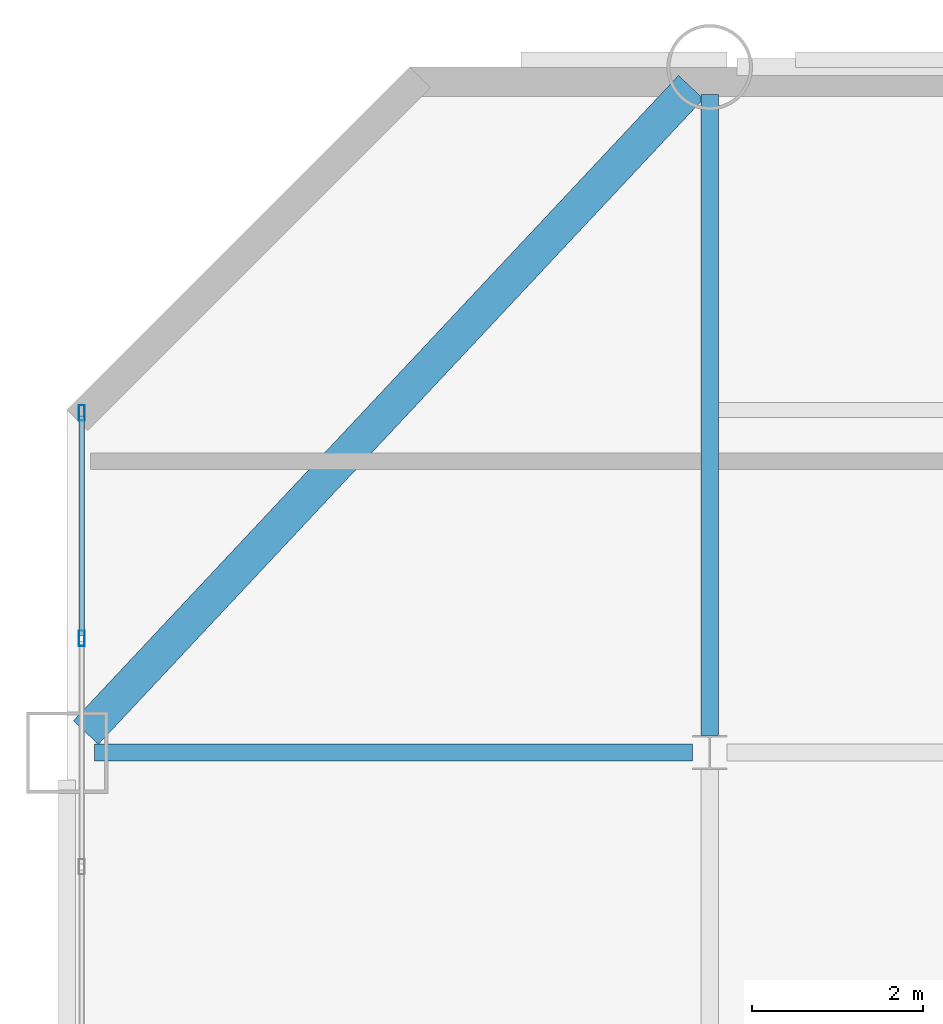
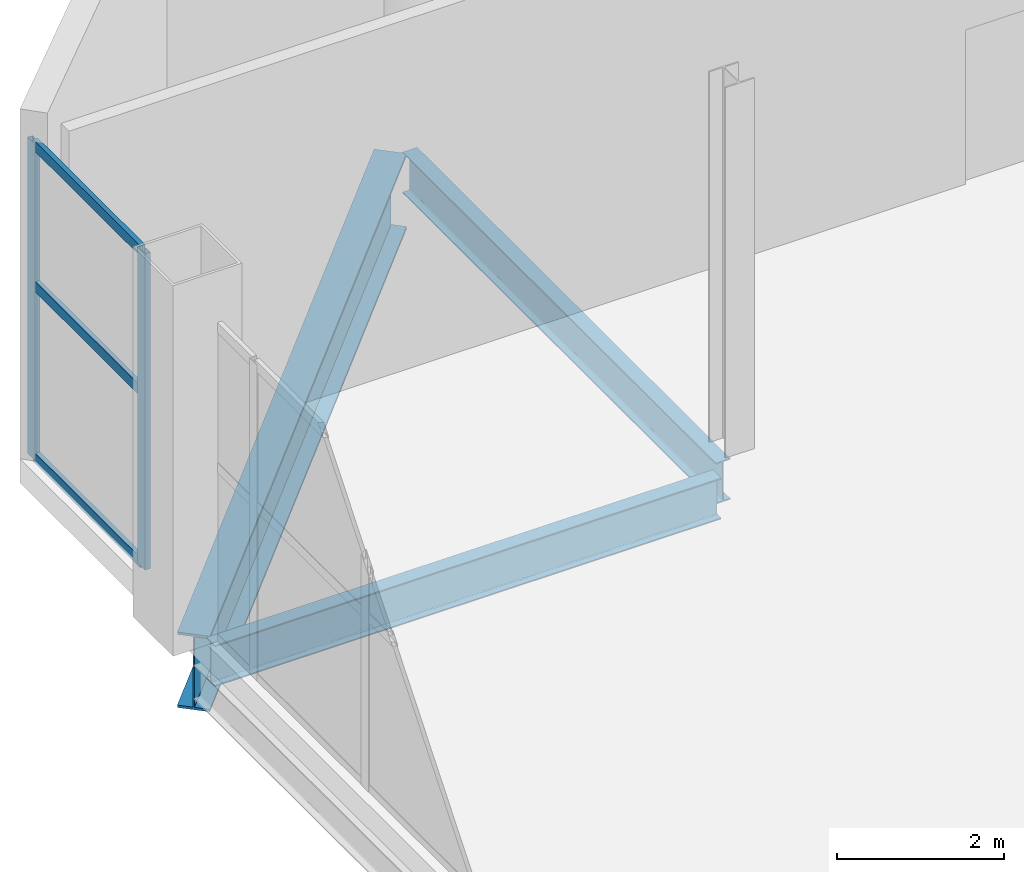
# One storey, part 16 of 24: 5 members, 3 beams, 1 element without a shape of its own.
"""IFC4 building model written with IfcOpenShell, lengths in metres."""

from ifc_helpers import new_model, si_unit, direction, frame, origin, origin_2d, place, context, subcontext, project, spatial, hollow_rectangle, i_section, extrude, material, layer, layer_set, material_profile, profile_set, type_object, element, aggregate, save


model = new_model("IFC4")

# Units and contexts
model_context = context("Model", 3, precision=1e-05, world=origin(), true_north=direction((0.0, 1.0)))
body_context = subcontext(model_context, "Body", "Model", "MODEL_VIEW")
ifc_project = project(units=[si_unit("LENGTHUNIT", "METRE"), si_unit("AREAUNIT", "SQUARE_METRE"), si_unit("VOLUMEUNIT", "CUBIC_METRE"), si_unit("PLANEANGLEUNIT", "RADIAN"), si_unit("MASSUNIT", "GRAM", prefix="KILO")], contexts=[model_context])

# Site, building, storey
site_placement = place(None, origin())
site = spatial("IfcSite", under=ifc_project, at=site_placement, CompositionType="ELEMENT")
building_placement = place(site_placement, origin())
building = spatial("IfcBuilding", under=site, at=building_placement, Name="Qianrong Seaharbour Tower", CompositionType="ELEMENT")
storey_placement = place(building_placement, frame((0.0, 0.0, 195.0)))
storey = spatial("IfcBuildingStorey", under=building, at=storey_placement, Name="L47", CompositionType="ELEMENT", Elevation=195.0)

# Beams
ifc_material_1 = material(Name="Structural steel SN490B", Category="steel")
ifc_material_profile_1 = material_profile(ifc_material_1, i_section(OverallWidth=0.199951171875, OverallDepth=0.60009765625, WebThickness=0.010986328125, FlangeThickness=0.01708984375, FilletRadius=0.02197265625, at=origin_2d()), Name="H600x200x11x17")
ifc_profile_set_1 = profile_set([ifc_material_profile_1], Name="Structural steel SN490B")
beam_type_1 = type_object("IfcBeamType", Name="BM-G-600", PredefinedType="BEAM", material=ifc_profile_set_1)
beam_1_placement = place(storey_placement, frame((9.320068359375, 44.0, -0.64990234375), z_axis=(1.0, 0.0, 0.0), x_axis=(0.0, 1.0, 0.0)))
element("IfcBeam", 1, at=beam_1_placement, inside=storey, type_object=beam_type_1, Name="L47 Primary Girder GG G2-G3", PredefinedType="BEAM", context=body_context, shape_type="SweptSolid", body=[
    extrude(i_section(OverallWidth=0.199951171875, OverallDepth=0.60009765625, WebThickness=0.010986328125, FlangeThickness=0.01708984375, FilletRadius=0.02197265625, at=origin_2d()), origin(), (0.0, 0.0, 1.0), 6.97998046875),
])
beam_2_placement = place(storey_placement, frame((16.5, 44.199951171875, -0.64990234375), z_axis=(0.0, 1.0, 0.0), x_axis=(-1.0, 0.0, 0.0)))
element("IfcBeam", 2, at=beam_2_placement, inside=storey, type_object=beam_type_1, Name="L47 Primary Girder G3 GG-GH", PredefinedType="BEAM", context=body_context, shape_type="SweptSolid", body=[
    extrude(i_section(OverallWidth=0.199951171875, OverallDepth=0.60009765625, WebThickness=0.010986328125, FlangeThickness=0.01708984375, FilletRadius=0.02197265625, at=origin_2d()), origin(), (0.0, 0.0, 1.0), 7.47998046875),
])
ifc_material_profile_2 = material_profile(ifc_material_1, i_section(OverallWidth=0.39990234375, OverallDepth=1.10009765625, WebThickness=0.02001953125, FlangeThickness=0.035888671875, at=origin_2d()), Name="BH1100x400x20x36")
ifc_profile_set_2 = profile_set([ifc_material_profile_2], Name="Structural steel SN490B")
beam_type_2 = type_object("IfcBeamType", Name="BM-TG-1100", PredefinedType="BEAM", material=ifc_profile_set_2)
beam_3_placement = place(storey_placement, frame((16.28125, 51.7666015625, -0.89990234375), z_axis=(-0.683947420573, -0.729531305628, 0.0), x_axis=(0.729531305628, -0.683947420573, 0.0)))
element("IfcBeam", 3, at=beam_3_placement, inside=storey, type_object=beam_type_2, Name="L47 Chamfer Corner Spandrel Girder G2/GH", PredefinedType="BEAM", context=body_context, shape_type="SweptSolid", body=[
    extrude(i_section(OverallWidth=0.39990234375, OverallDepth=1.10009765625, WebThickness=0.02001953125, FlangeThickness=0.035888671875, at=origin_2d()), origin(), (0.0, 0.0, 1.0), 10.326171875),
])

# Curtain wall, members
ifc_material_2 = material(Name="Anodised aluminium 6063-T6 and laminated low-e glass", Category="aluminium")
ifc_layer = layer(ifc_material_2, 0.18505859375)
ifc_layer_set = layer_set([ifc_layer], Name="Anodised aluminium 6063-T6 and laminated low-e glass")
curtain_wall_type = type_object("IfcCurtainWallType", Name="CW-SYS-4", PredefinedType="NOTDEFINED", material=ifc_layer_set)
curtain_wall_placement = place(storey_placement, origin())
curtain_wall = element("IfcCurtainWall", 4, at=curtain_wall_placement, inside=storey, type_object=curtain_wall_type, Name="L47 Refuge Acoustic Louvre Curtain Wall WEST_TIP", PredefinedType="NOTDEFINED")
ifc_material_3 = material(Name="Extruded aluminium 6063-T6", Category="aluminium")
ifc_material_profile_3 = material_profile(ifc_material_3, hollow_rectangle(XDim=0.070068359375, YDim=0.179931640625, WallThickness=0.00390625, at=origin_2d()), Name="ALU-MUL-180x70x4")
ifc_profile_set_3 = profile_set([ifc_material_profile_3], Name="Extruded aluminium 6063-T6")
member_type_1 = type_object("IfcMemberType", Name="CW-MUL-180", PredefinedType="MULLION", material=ifc_profile_set_3)
member_1_placement = place(storey_placement, frame((9.169921875, 45.333251953125, 0.0), z_axis=(0.0, 0.0, 1.0), x_axis=(-1.0, 0.0, 0.0)))
member_1 = element("IfcMember", 5, at=member_1_placement, type_object=member_type_1, Name="CW-4 mullion 6", PredefinedType="MULLION", context=body_context, shape_type="SweptSolid", body=[
    extrude(hollow_rectangle(XDim=0.070068359375, YDim=0.179931640625, WallThickness=0.00390625, at=origin_2d()), origin(), (0.0, 0.0, 1.0), 4.610107421875),
])
member_2_placement = place(storey_placement, frame((9.169921875, 47.965087890625, 0.0), z_axis=(0.0, 0.0, 1.0), x_axis=(-1.0, 0.0, 0.0)))
member_2 = element("IfcMember", 6, at=member_2_placement, type_object=member_type_1, Name="CW-4 mullion 7", PredefinedType="MULLION", context=body_context, shape_type="SweptSolid", body=[
    extrude(hollow_rectangle(XDim=0.070068359375, YDim=0.179931640625, WallThickness=0.00390625, at=origin_2d()), origin(), (0.0, 0.0, 1.0), 4.610107421875),
])
ifc_material_profile_4 = material_profile(ifc_material_3, hollow_rectangle(XDim=0.06494140625, YDim=0.14990234375, WallThickness=0.00390625, at=origin_2d()), Name="ALU-TRN-150x65x4")
ifc_profile_set_4 = profile_set([ifc_material_profile_4], Name="Extruded aluminium 6063-T6")
member_type_2 = type_object("IfcMemberType", Name="CW-TRN-150", PredefinedType="USERDEFINED", material=ifc_profile_set_4)
member_3_placement = place(storey_placement, frame((9.169921875, 45.368408203125, 0.032470703125), z_axis=(0.0, 1.0, 0.0), x_axis=(-1.0, 0.0, 0.0)))
member_3 = element("IfcMember", 7, at=member_3_placement, type_object=member_type_2, Name="CW-4 transom 6.1", ObjectType="TRANSOM", PredefinedType="USERDEFINED", context=body_context, shape_type="SweptSolid", body=[
    extrude(hollow_rectangle(XDim=0.06494140625, YDim=0.14990234375, WallThickness=0.00390625, at=origin_2d()), origin(), (0.0, 0.0, 1.0), 2.5615234375),
])
member_4_placement = place(storey_placement, frame((9.169921875, 45.368408203125, 2.535400390625), z_axis=(0.0, 1.0, 0.0), x_axis=(-1.0, 0.0, 0.0)))
member_4 = element("IfcMember", 8, at=member_4_placement, type_object=member_type_2, Name="CW-4 transom 6.2", ObjectType="TRANSOM", PredefinedType="USERDEFINED", context=body_context, shape_type="SweptSolid", body=[
    extrude(hollow_rectangle(XDim=0.06494140625, YDim=0.14990234375, WallThickness=0.00390625, at=origin_2d()), origin(), (0.0, 0.0, 1.0), 2.5615234375),
])
member_5_placement = place(storey_placement, frame((9.169921875, 45.368408203125, 4.577392578125), z_axis=(0.0, 1.0, 0.0), x_axis=(-1.0, 0.0, 0.0)))
member_5 = element("IfcMember", 9, at=member_5_placement, type_object=member_type_2, Name="CW-4 transom 6.3", ObjectType="TRANSOM", PredefinedType="USERDEFINED", context=body_context, shape_type="SweptSolid", body=[
    extrude(hollow_rectangle(XDim=0.06494140625, YDim=0.14990234375, WallThickness=0.00390625, at=origin_2d()), origin(), (0.0, 0.0, 1.0), 2.5615234375),
])
aggregate(curtain_wall, [member_1, member_2, member_3, member_4, member_5])

save(model, "model.ifc")
